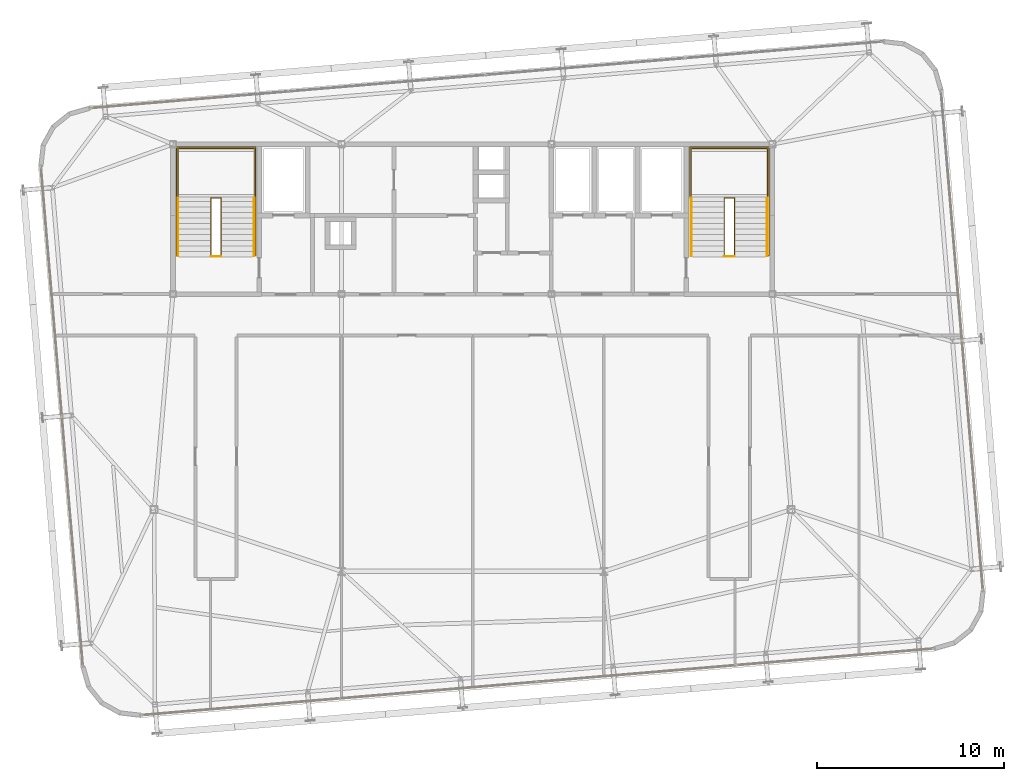
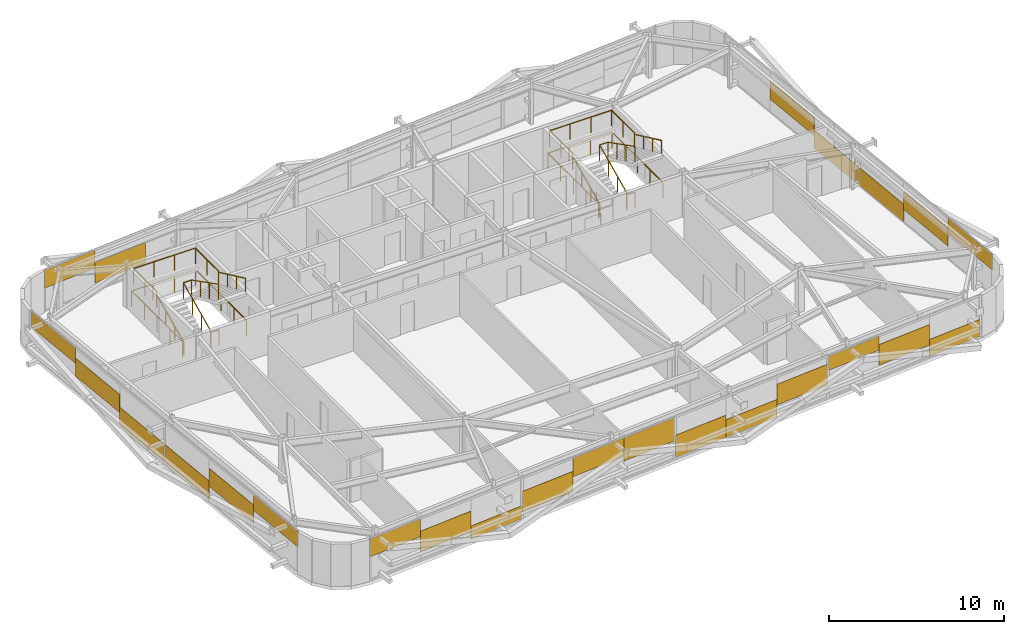
# One storey, part 36 of 37: 25 coverings, 12 railings.
"""IFC4 building model written with IfcOpenShell, lengths in metres."""

from ifc_helpers import new_model, si_unit, direction, frame, origin, origin_2d, place, context, subcontext, project, spatial, rectangle, extrude, source, transform, mapped, material, layer, layer_set, type_object, element, save


model = new_model("IFC4")

# Units and contexts
model_context = context("Model", 3, precision=1e-05, world=origin(), true_north=direction((0.0, 1.0)))
body_context = subcontext(model_context, "Body", "Model", "MODEL_VIEW")
ifc_project = project(units=[si_unit("LENGTHUNIT", "METRE"), si_unit("AREAUNIT", "SQUARE_METRE"), si_unit("VOLUMEUNIT", "CUBIC_METRE"), si_unit("PLANEANGLEUNIT", "RADIAN"), si_unit("MASSUNIT", "GRAM", prefix="KILO")], contexts=[model_context])

# Site, building, storey
site_placement = place(None, origin())
site = spatial("IfcSite", under=ifc_project, at=site_placement, CompositionType="ELEMENT")
building_placement = place(site_placement, origin())
building = spatial("IfcBuilding", under=site, at=building_placement, Name="Taldren Reach Tower", CompositionType="ELEMENT")
storey_placement = place(building_placement, frame((0.0, 0.0, 182.0)))
storey = spatial("IfcBuildingStorey", under=building, at=storey_placement, Name="L55", CompositionType="ELEMENT", Elevation=182.0)

# Railings
ifc_material_1 = material(Name="Steel Gr 350 (C350L0)", Category="steel")
ifc_layer_1 = layer(ifc_material_1, 0.050048828125)
ifc_layer_set_1 = layer_set([ifc_layer_1], Name="Steel Gr 350 (C350L0)")
railing_type_1 = type_object("IfcRailingType", Name="RL-STAIR-GR", PredefinedType="GUARDRAIL", material=ifc_layer_set_1)
railing_1_placement = place(storey_placement, frame((19.260009765625, 29.135009765625, 1.574951171875)))
element("IfcRailing", 1, at=railing_1_placement, inside=storey, type_object=railing_type_1, Name="Stair half-landing perimeter guard ST1-L55", PredefinedType="GUARDRAIL", context=body_context, shape_type="SweptSolid", body=[
    extrude(rectangle(XDim=0.047852, YDim=0.047852, at=origin_2d()), frame((0.0, 0.0, 1.09619140625), z_axis=(0.0, 1.0, 0.0), x_axis=(-1.0, 0.0, 0.0)), (0.0, 0.0, 1.0), 2.64501953125),
    extrude(rectangle(XDim=0.047852, YDim=0.047852, at=origin_2d()), frame((0.0, 2.64501953125, 1.09619140625), z_axis=(1.0, 0.0, 0.0), x_axis=(0.0, 1.0, 0.0)), (0.0, 0.0, 1.0), 4.080078125),
    extrude(rectangle(XDim=0.047852, YDim=0.047852, at=origin_2d()), frame((4.080078125, 2.64501953125, 1.09619140625), z_axis=(0.0, -1.0, 0.0), x_axis=(1.0, 0.0, 0.0)), (0.0, 0.0, 1.0), 2.64501953125),
    extrude(rectangle(XDim=0.041992, YDim=0.041992, at=origin_2d()), origin(), (0.0, 0.0, 1.0), 1.072021484375),
    extrude(rectangle(XDim=0.041992, YDim=0.041992, at=origin_2d()), frame((0.0, 1.322509765625, 0.0)), (0.0, 0.0, 1.0), 1.072021484375),
    extrude(rectangle(XDim=0.041992, YDim=0.041992, at=origin_2d()), frame((0.0, 2.64501953125, 0.0)), (0.0, 0.0, 1.0), 1.072021484375),
    extrude(rectangle(XDim=0.041992, YDim=0.041992, at=origin_2d()), frame((1.360107421875, 2.64501953125, 0.0)), (0.0, 0.0, 1.0), 1.072021484375),
    extrude(rectangle(XDim=0.041992, YDim=0.041992, at=origin_2d()), frame((2.719970703125, 2.64501953125, 0.0)), (0.0, 0.0, 1.0), 1.072021484375),
    extrude(rectangle(XDim=0.041992, YDim=0.041992, at=origin_2d()), frame((4.080078125, 2.64501953125, 0.0)), (0.0, 0.0, 1.0), 1.072021484375),
    extrude(rectangle(XDim=0.041992, YDim=0.041992, at=origin_2d()), frame((4.080078125, 1.322509765625, 0.0)), (0.0, 0.0, 1.0), 1.072021484375),
    extrude(rectangle(XDim=0.041992, YDim=0.041992, at=origin_2d()), frame((4.080078125, 0.0, 0.0)), (0.0, 0.0, 1.0), 1.072021484375),
])
railing_2_placement = place(storey_placement, frame((21.030029296875, 26.050048828125, 0.131103515625)))
element("IfcRailing", 2, at=railing_2_placement, inside=storey, type_object=railing_type_1, Name="Stairwell inner guard ST1-L55", PredefinedType="GUARDRAIL", context=body_context, shape_type="SweptSolid", body=[
    extrude(rectangle(XDim=0.047852, YDim=0.047852, at=origin_2d()), frame((0.0, 0.0, 1.09619140625), z_axis=(0.0, 0.905710134349, 0.423897573167), x_axis=(-1.0, 0.0, 0.0)), (0.0, 0.0, 1.0), 3.406005859375),
    extrude(rectangle(XDim=0.047852, YDim=0.047852, at=origin_2d()), frame((0.0, 3.0849609375, 2.5400390625), z_axis=(1.0, 0.0, 0.0), x_axis=(0.0, 1.0, 0.0)), (0.0, 0.0, 1.0), 0.5400390625),
    extrude(rectangle(XDim=0.047852, YDim=0.047852, at=origin_2d()), frame((0.5400390625, 3.0849609375, 2.5400390625), z_axis=(0.0, -0.890645957773, 0.45469745755), x_axis=(1.0, 0.0, 0.0)), (0.0, 0.0, 1.0), 3.463623046875),
    extrude(rectangle(XDim=0.041992, YDim=0.041992, at=origin_2d()), origin(), (0.0, 0.0, 1.0), 1.072021484375),
    extrude(rectangle(XDim=0.041992, YDim=0.041992, at=origin_2d()), frame((0.0, 1.0283203125, 0.481201171875)), (0.0, 0.0, 1.0), 1.072021484375),
    extrude(rectangle(XDim=0.041992, YDim=0.041992, at=origin_2d()), frame((0.0, 2.056640625, 0.962646484375)), (0.0, 0.0, 1.0), 1.072021484375),
    extrude(rectangle(XDim=0.041992, YDim=0.041992, at=origin_2d()), frame((0.0, 3.0849609375, 1.44384765625)), (0.0, 0.0, 1.0), 1.072021484375),
    extrude(rectangle(XDim=0.041992, YDim=0.041992, at=origin_2d()), frame((0.5400390625, 3.0849609375, 1.44384765625)), (0.0, 0.0, 1.0), 1.072021484375),
    extrude(rectangle(XDim=0.041992, YDim=0.041992, at=origin_2d()), frame((0.5400390625, 2.056640625, 1.96875)), (0.0, 0.0, 1.0), 1.072021484375),
    extrude(rectangle(XDim=0.041992, YDim=0.041992, at=origin_2d()), frame((0.5400390625, 1.0283203125, 2.493896484375)), (0.0, 0.0, 1.0), 1.072021484375),
    extrude(rectangle(XDim=0.041992, YDim=0.041992, at=origin_2d()), frame((0.5400390625, 0.0, 3.018798828125)), (0.0, 0.0, 1.0), 1.072021484375),
])
railing_3_placement = place(storey_placement, frame((21.030029296875, 26.010009765625, 0.0)))
element("IfcRailing", 3, at=railing_3_placement, inside=storey, type_object=railing_type_1, Name="Stairwell landing slot guard ST1-L55", PredefinedType="GUARDRAIL", context=body_context, shape_type="SweptSolid", body=[
    extrude(rectangle(XDim=0.047852, YDim=0.047852, at=origin_2d()), frame((0.0, 0.0, 1.09619140625), z_axis=(1.0, 0.0, 0.0), x_axis=(0.0, 1.0, 0.0)), (0.0, 0.0, 1.0), 0.5400390625),
    extrude(rectangle(XDim=0.041992, YDim=0.041992, at=origin_2d()), origin(), (0.0, 0.0, 1.0), 1.072021484375),
    extrude(rectangle(XDim=0.041992, YDim=0.041992, at=origin_2d()), frame((0.5400390625, 0.0, 0.0)), (0.0, 0.0, 1.0), 1.072021484375),
])
railing_4_placement = place(storey_placement, frame((19.18994140625, 26.050048828125, 0.0)))
element("IfcRailing", 4, at=railing_4_placement, inside=storey, type_object=railing_type_1, Name="Stairwell floor opening guard ST1-L55", PredefinedType="GUARDRAIL", context=body_context, shape_type="SweptSolid", body=[
    extrude(rectangle(XDim=0.047852, YDim=0.047852, at=origin_2d()), frame((0.0, 0.0, 1.09619140625), z_axis=(0.0, 1.0, 0.0), x_axis=(-1.0, 0.0, 0.0)), (0.0, 0.0, 1.0), 5.800048828125),
    extrude(rectangle(XDim=0.047852, YDim=0.047852, at=origin_2d()), frame((0.0, 5.800048828125, 1.09619140625), z_axis=(1.0, 0.0, 0.0), x_axis=(0.0, 1.0, 0.0)), (0.0, 0.0, 1.0), 4.219970703125),
    extrude(rectangle(XDim=0.047852, YDim=0.047852, at=origin_2d()), frame((4.219970703125, 5.800048828125, 1.09619140625), z_axis=(0.0, -1.0, 0.0), x_axis=(1.0, 0.0, 0.0)), (0.0, 0.0, 1.0), 5.800048828125),
    extrude(rectangle(XDim=0.041992, YDim=0.041992, at=origin_2d()), origin(), (0.0, 0.0, 1.0), 1.072021484375),
    extrude(rectangle(XDim=0.041992, YDim=0.041992, at=origin_2d()), frame((0.0, 1.449951171875, 0.0)), (0.0, 0.0, 1.0), 1.072021484375),
    extrude(rectangle(XDim=0.041992, YDim=0.041992, at=origin_2d()), frame((0.0, 2.89990234375, 0.0)), (0.0, 0.0, 1.0), 1.072021484375),
    extrude(rectangle(XDim=0.041992, YDim=0.041992, at=origin_2d()), frame((0.0, 4.35009765625, 0.0)), (0.0, 0.0, 1.0), 1.072021484375),
    extrude(rectangle(XDim=0.041992, YDim=0.041992, at=origin_2d()), frame((0.0, 5.800048828125, 0.0)), (0.0, 0.0, 1.0), 1.072021484375),
    extrude(rectangle(XDim=0.041992, YDim=0.041992, at=origin_2d()), frame((1.40673828125, 5.800048828125, 0.0)), (0.0, 0.0, 1.0), 1.072021484375),
    extrude(rectangle(XDim=0.041992, YDim=0.041992, at=origin_2d()), frame((2.813232421875, 5.800048828125, 0.0)), (0.0, 0.0, 1.0), 1.072021484375),
    extrude(rectangle(XDim=0.041992, YDim=0.041992, at=origin_2d()), frame((4.219970703125, 5.800048828125, 0.0)), (0.0, 0.0, 1.0), 1.072021484375),
    extrude(rectangle(XDim=0.041992, YDim=0.041992, at=origin_2d()), frame((4.219970703125, 4.35009765625, 0.0)), (0.0, 0.0, 1.0), 1.072021484375),
    extrude(rectangle(XDim=0.041992, YDim=0.041992, at=origin_2d()), frame((4.219970703125, 2.89990234375, 0.0)), (0.0, 0.0, 1.0), 1.072021484375),
    extrude(rectangle(XDim=0.041992, YDim=0.041992, at=origin_2d()), frame((4.219970703125, 1.449951171875, 0.0)), (0.0, 0.0, 1.0), 1.072021484375),
    extrude(rectangle(XDim=0.041992, YDim=0.041992, at=origin_2d()), frame((4.219970703125, 0.0, 0.0)), (0.0, 0.0, 1.0), 1.072021484375),
])
railing_5_placement = place(storey_placement, frame((46.659912109375, 29.135009765625, 1.574951171875)))
element("IfcRailing", 5, at=railing_5_placement, inside=storey, type_object=railing_type_1, Name="Stair half-landing perimeter guard ST2-L55", PredefinedType="GUARDRAIL", context=body_context, shape_type="SweptSolid", body=[
    extrude(rectangle(XDim=0.047852, YDim=0.047852, at=origin_2d()), frame((0.0, 0.0, 1.09619140625), z_axis=(0.0, 1.0, 0.0), x_axis=(-1.0, 0.0, 0.0)), (0.0, 0.0, 1.0), 2.64501953125),
    extrude(rectangle(XDim=0.047852, YDim=0.047852, at=origin_2d()), frame((0.0, 2.64501953125, 1.09619140625), z_axis=(1.0, 0.0, 0.0), x_axis=(0.0, 1.0, 0.0)), (0.0, 0.0, 1.0), 4.080078125),
    extrude(rectangle(XDim=0.047852, YDim=0.047852, at=origin_2d()), frame((4.080078125, 2.64501953125, 1.09619140625), z_axis=(0.0, -1.0, 0.0), x_axis=(1.0, 0.0, 0.0)), (0.0, 0.0, 1.0), 2.64501953125),
    extrude(rectangle(XDim=0.041992, YDim=0.041992, at=origin_2d()), origin(), (0.0, 0.0, 1.0), 1.072021484375),
    extrude(rectangle(XDim=0.041992, YDim=0.041992, at=origin_2d()), frame((0.0, 1.322509765625, 0.0)), (0.0, 0.0, 1.0), 1.072021484375),
    extrude(rectangle(XDim=0.041992, YDim=0.041992, at=origin_2d()), frame((0.0, 2.64501953125, 0.0)), (0.0, 0.0, 1.0), 1.072021484375),
    extrude(rectangle(XDim=0.041992, YDim=0.041992, at=origin_2d()), frame((1.360107421875, 2.64501953125, 0.0)), (0.0, 0.0, 1.0), 1.072021484375),
    extrude(rectangle(XDim=0.041992, YDim=0.041992, at=origin_2d()), frame((2.719970703125, 2.64501953125, 0.0)), (0.0, 0.0, 1.0), 1.072021484375),
    extrude(rectangle(XDim=0.041992, YDim=0.041992, at=origin_2d()), frame((4.080078125, 2.64501953125, 0.0)), (0.0, 0.0, 1.0), 1.072021484375),
    extrude(rectangle(XDim=0.041992, YDim=0.041992, at=origin_2d()), frame((4.080078125, 1.322509765625, 0.0)), (0.0, 0.0, 1.0), 1.072021484375),
    extrude(rectangle(XDim=0.041992, YDim=0.041992, at=origin_2d()), frame((4.080078125, 0.0, 0.0)), (0.0, 0.0, 1.0), 1.072021484375),
])
railing_6_placement = place(storey_placement, frame((48.429931640625, 26.050048828125, 0.131103515625)))
element("IfcRailing", 6, at=railing_6_placement, inside=storey, type_object=railing_type_1, Name="Stairwell inner guard ST2-L55", PredefinedType="GUARDRAIL", context=body_context, shape_type="SweptSolid", body=[
    extrude(rectangle(XDim=0.047852, YDim=0.047852, at=origin_2d()), frame((0.0, 0.0, 1.09619140625), z_axis=(0.0, 0.905710134349, 0.423897573167), x_axis=(-1.0, 0.0, 0.0)), (0.0, 0.0, 1.0), 3.406005859375),
    extrude(rectangle(XDim=0.047852, YDim=0.047852, at=origin_2d()), frame((0.0, 3.0849609375, 2.5400390625), z_axis=(1.0, 0.0, 0.0), x_axis=(0.0, 1.0, 0.0)), (0.0, 0.0, 1.0), 0.5400390625),
    extrude(rectangle(XDim=0.047852, YDim=0.047852, at=origin_2d()), frame((0.5400390625, 3.0849609375, 2.5400390625), z_axis=(0.0, -0.890645957773, 0.45469745755), x_axis=(1.0, 0.0, 0.0)), (0.0, 0.0, 1.0), 3.463623046875),
    extrude(rectangle(XDim=0.041992, YDim=0.041992, at=origin_2d()), origin(), (0.0, 0.0, 1.0), 1.072021484375),
    extrude(rectangle(XDim=0.041992, YDim=0.041992, at=origin_2d()), frame((0.0, 1.0283203125, 0.481201171875)), (0.0, 0.0, 1.0), 1.072021484375),
    extrude(rectangle(XDim=0.041992, YDim=0.041992, at=origin_2d()), frame((0.0, 2.056640625, 0.962646484375)), (0.0, 0.0, 1.0), 1.072021484375),
    extrude(rectangle(XDim=0.041992, YDim=0.041992, at=origin_2d()), frame((0.0, 3.0849609375, 1.44384765625)), (0.0, 0.0, 1.0), 1.072021484375),
    extrude(rectangle(XDim=0.041992, YDim=0.041992, at=origin_2d()), frame((0.5400390625, 3.0849609375, 1.44384765625)), (0.0, 0.0, 1.0), 1.072021484375),
    extrude(rectangle(XDim=0.041992, YDim=0.041992, at=origin_2d()), frame((0.5400390625, 2.056640625, 1.96875)), (0.0, 0.0, 1.0), 1.072021484375),
    extrude(rectangle(XDim=0.041992, YDim=0.041992, at=origin_2d()), frame((0.5400390625, 1.0283203125, 2.493896484375)), (0.0, 0.0, 1.0), 1.072021484375),
    extrude(rectangle(XDim=0.041992, YDim=0.041992, at=origin_2d()), frame((0.5400390625, 0.0, 3.018798828125)), (0.0, 0.0, 1.0), 1.072021484375),
])
railing_7_placement = place(storey_placement, frame((48.429931640625, 26.010009765625, 0.0)))
element("IfcRailing", 7, at=railing_7_placement, inside=storey, type_object=railing_type_1, Name="Stairwell landing slot guard ST2-L55", PredefinedType="GUARDRAIL", context=body_context, shape_type="SweptSolid", body=[
    extrude(rectangle(XDim=0.047852, YDim=0.047852, at=origin_2d()), frame((0.0, 0.0, 1.09619140625), z_axis=(1.0, 0.0, 0.0), x_axis=(0.0, 1.0, 0.0)), (0.0, 0.0, 1.0), 0.5400390625),
    extrude(rectangle(XDim=0.041992, YDim=0.041992, at=origin_2d()), origin(), (0.0, 0.0, 1.0), 1.072021484375),
    extrude(rectangle(XDim=0.041992, YDim=0.041992, at=origin_2d()), frame((0.5400390625, 0.0, 0.0)), (0.0, 0.0, 1.0), 1.072021484375),
])
railing_8_placement = place(storey_placement, frame((46.590087890625, 26.050048828125, 0.0)))
element("IfcRailing", 8, at=railing_8_placement, inside=storey, type_object=railing_type_1, Name="Stairwell floor opening guard ST2-L55", PredefinedType="GUARDRAIL", context=body_context, shape_type="SweptSolid", body=[
    extrude(rectangle(XDim=0.047852, YDim=0.047852, at=origin_2d()), frame((0.0, 0.0, 1.09619140625), z_axis=(0.0, 1.0, 0.0), x_axis=(-1.0, 0.0, 0.0)), (0.0, 0.0, 1.0), 5.800048828125),
    extrude(rectangle(XDim=0.047852, YDim=0.047852, at=origin_2d()), frame((0.0, 5.800048828125, 1.09619140625), z_axis=(1.0, 0.0, 0.0), x_axis=(0.0, 1.0, 0.0)), (0.0, 0.0, 1.0), 4.219970703125),
    extrude(rectangle(XDim=0.047852, YDim=0.047852, at=origin_2d()), frame((4.219970703125, 5.800048828125, 1.09619140625), z_axis=(0.0, -1.0, 0.0), x_axis=(1.0, 0.0, 0.0)), (0.0, 0.0, 1.0), 5.800048828125),
    extrude(rectangle(XDim=0.041992, YDim=0.041992, at=origin_2d()), origin(), (0.0, 0.0, 1.0), 1.072021484375),
    extrude(rectangle(XDim=0.041992, YDim=0.041992, at=origin_2d()), frame((0.0, 1.449951171875, 0.0)), (0.0, 0.0, 1.0), 1.072021484375),
    extrude(rectangle(XDim=0.041992, YDim=0.041992, at=origin_2d()), frame((0.0, 2.89990234375, 0.0)), (0.0, 0.0, 1.0), 1.072021484375),
    extrude(rectangle(XDim=0.041992, YDim=0.041992, at=origin_2d()), frame((0.0, 4.35009765625, 0.0)), (0.0, 0.0, 1.0), 1.072021484375),
    extrude(rectangle(XDim=0.041992, YDim=0.041992, at=origin_2d()), frame((0.0, 5.800048828125, 0.0)), (0.0, 0.0, 1.0), 1.072021484375),
    extrude(rectangle(XDim=0.041992, YDim=0.041992, at=origin_2d()), frame((1.40673828125, 5.800048828125, 0.0)), (0.0, 0.0, 1.0), 1.072021484375),
    extrude(rectangle(XDim=0.041992, YDim=0.041992, at=origin_2d()), frame((2.813232421875, 5.800048828125, 0.0)), (0.0, 0.0, 1.0), 1.072021484375),
    extrude(rectangle(XDim=0.041992, YDim=0.041992, at=origin_2d()), frame((4.219970703125, 5.800048828125, 0.0)), (0.0, 0.0, 1.0), 1.072021484375),
    extrude(rectangle(XDim=0.041992, YDim=0.041992, at=origin_2d()), frame((4.219970703125, 4.35009765625, 0.0)), (0.0, 0.0, 1.0), 1.072021484375),
    extrude(rectangle(XDim=0.041992, YDim=0.041992, at=origin_2d()), frame((4.219970703125, 2.89990234375, 0.0)), (0.0, 0.0, 1.0), 1.072021484375),
    extrude(rectangle(XDim=0.041992, YDim=0.041992, at=origin_2d()), frame((4.219970703125, 1.449951171875, 0.0)), (0.0, 0.0, 1.0), 1.072021484375),
    extrude(rectangle(XDim=0.041992, YDim=0.041992, at=origin_2d()), frame((4.219970703125, 0.0, 0.0)), (0.0, 0.0, 1.0), 1.072021484375),
])
ifc_material_2 = material(Name="Stainless Steel Gr 316", Category="steel")
ifc_layer_2 = layer(ifc_material_2, 0.048095703125)
ifc_layer_set_2 = layer_set([ifc_layer_2], Name="Stainless Steel Gr 316")
railing_type_2 = type_object("IfcRailingType", Name="RL-STAIR-HR", PredefinedType="HANDRAIL", material=ifc_layer_set_2)
railing_9_placement = place(storey_placement, frame((19.27001953125, 26.050048828125, 0.131103515625)))
element("IfcRailing", 9, at=railing_9_placement, inside=storey, type_object=railing_type_2, Name="Stair flight handrail ST1-L55-1", PredefinedType="HANDRAIL", context=body_context, shape_type="SweptSolid", body=[
    extrude(rectangle(XDim=0.047852, YDim=0.047852, at=origin_2d()), frame((0.0, 0.0, 0.89599609375), z_axis=(0.0, 0.905710134349, 0.423897573167), x_axis=(-1.0, 0.0, 0.0)), (0.0, 0.0, 1.0), 3.406005859375),
    extrude(rectangle(XDim=0.041992, YDim=0.041992, at=origin_2d()), origin(), (0.0, 0.0, 1.0), 0.871826171875),
    extrude(rectangle(XDim=0.041992, YDim=0.041992, at=origin_2d()), frame((0.0, 1.0283203125, 0.481201171875)), (0.0, 0.0, 1.0), 0.871826171875),
    extrude(rectangle(XDim=0.041992, YDim=0.041992, at=origin_2d()), frame((0.0, 2.056640625, 0.962646484375)), (0.0, 0.0, 1.0), 0.871826171875),
    extrude(rectangle(XDim=0.041992, YDim=0.041992, at=origin_2d()), frame((0.0, 3.0849609375, 1.44384765625)), (0.0, 0.0, 1.0), 0.871826171875),
])
railing_10_placement = place(storey_placement, frame((23.330078125, 29.135009765625, 1.706298828125)))
element("IfcRailing", 10, at=railing_10_placement, inside=storey, type_object=railing_type_2, Name="Stair flight handrail ST1-L55-2", PredefinedType="HANDRAIL", context=body_context, shape_type="SweptSolid", body=[
    extrude(rectangle(XDim=0.047852, YDim=0.047852, at=origin_2d()), frame((0.0, 0.0, 0.89599609375), z_axis=(0.0, -0.905737652094, 0.423838773095), x_axis=(1.0, 0.0, 0.0)), (0.0, 0.0, 1.0), 3.406005859375),
    extrude(rectangle(XDim=0.041992, YDim=0.041992, at=origin_2d()), origin(), (0.0, 0.0, 1.0), 0.871826171875),
    extrude(rectangle(XDim=0.041992, YDim=0.041992, at=origin_2d()), frame((0.0, -1.0283203125, 0.481201171875)), (0.0, 0.0, 1.0), 0.871826171875),
    extrude(rectangle(XDim=0.041992, YDim=0.041992, at=origin_2d()), frame((0.0, -2.056640625, 0.96240234375)), (0.0, 0.0, 1.0), 0.871826171875),
    extrude(rectangle(XDim=0.041992, YDim=0.041992, at=origin_2d()), frame((0.0, -3.0849609375, 1.443603515625)), (0.0, 0.0, 1.0), 0.871826171875),
])
railing_11_placement = place(storey_placement, frame((46.669921875, 26.050048828125, 0.131103515625)))
element("IfcRailing", 11, at=railing_11_placement, inside=storey, type_object=railing_type_2, Name="Stair flight handrail ST2-L55-1", PredefinedType="HANDRAIL", context=body_context, shape_type="SweptSolid", body=[
    extrude(rectangle(XDim=0.047852, YDim=0.047852, at=origin_2d()), frame((0.0, 0.0, 0.89599609375), z_axis=(0.0, 0.905710134349, 0.423897573167), x_axis=(-1.0, 0.0, 0.0)), (0.0, 0.0, 1.0), 3.406005859375),
    extrude(rectangle(XDim=0.041992, YDim=0.041992, at=origin_2d()), origin(), (0.0, 0.0, 1.0), 0.871826171875),
    extrude(rectangle(XDim=0.041992, YDim=0.041992, at=origin_2d()), frame((0.0, 1.0283203125, 0.481201171875)), (0.0, 0.0, 1.0), 0.871826171875),
    extrude(rectangle(XDim=0.041992, YDim=0.041992, at=origin_2d()), frame((0.0, 2.056640625, 0.962646484375)), (0.0, 0.0, 1.0), 0.871826171875),
    extrude(rectangle(XDim=0.041992, YDim=0.041992, at=origin_2d()), frame((0.0, 3.0849609375, 1.44384765625)), (0.0, 0.0, 1.0), 0.871826171875),
])
railing_12_placement = place(storey_placement, frame((50.72998046875, 29.135009765625, 1.706298828125)))
element("IfcRailing", 12, at=railing_12_placement, inside=storey, type_object=railing_type_2, Name="Stair flight handrail ST2-L55-2", PredefinedType="HANDRAIL", context=body_context, shape_type="SweptSolid", body=[
    extrude(rectangle(XDim=0.047852, YDim=0.047852, at=origin_2d()), frame((0.0, 0.0, 0.89599609375), z_axis=(0.0, -0.905737652094, 0.423838773095), x_axis=(1.0, 0.0, 0.0)), (0.0, 0.0, 1.0), 3.406005859375),
    extrude(rectangle(XDim=0.041992, YDim=0.041992, at=origin_2d()), origin(), (0.0, 0.0, 1.0), 0.871826171875),
    extrude(rectangle(XDim=0.041992, YDim=0.041992, at=origin_2d()), frame((0.0, -1.0283203125, 0.481201171875)), (0.0, 0.0, 1.0), 0.871826171875),
    extrude(rectangle(XDim=0.041992, YDim=0.041992, at=origin_2d()), frame((0.0, -2.056640625, 0.96240234375)), (0.0, 0.0, 1.0), 0.871826171875),
    extrude(rectangle(XDim=0.041992, YDim=0.041992, at=origin_2d()), frame((0.0, -3.0849609375, 1.443603515625)), (0.0, 0.0, 1.0), 0.871826171875),
])

# Coverings
ifc_material_3 = material(Name="Pale Champagne Fluoropolymer Aluminium Spandrel Cladding", Category="aluminium")
ifc_layer_3 = layer(ifc_material_3, 0.0439453125)
ifc_layer_set_3 = layer_set([ifc_layer_3], Name="Pale Champagne Fluoropolymer Aluminium Spandrel Cladding")
covering_type = type_object("IfcCoveringType", Name="CV-CLAD-044", PredefinedType="CLADDING", material=ifc_layer_set_3)
shared_shape_1 = source(origin(), body_context, "Body", "SweptSolid", [
    extrude(rectangle(XDim=3.506591796875, YDim=0.0439453125, at=origin_2d()), origin(), (0.0, 0.0, 1.0), 1.177734375),
])
covering_1_placement = place(storey_placement, frame((57.819091796875, 4.922607421875, 0.06005859375), z_axis=(0.0, 0.0, 1.0), x_axis=(0.996492854922, 0.083677894865, 0.0)))
element("IfcCovering", 13, at=covering_1_placement, inside=storey, type_object=covering_type, Name="Diagrid closure cladding strip CW-5 panel 4.1 3", PredefinedType="CLADDING", context=body_context, shape_type="MappedRepresentation", body=[
    mapped(shared_shape_1, transform((0.0, 0.0, 0.0), scale=1.0)),
])
shared_shape_2 = source(origin(), body_context, "Body", "SweptSolid", [
    extrude(rectangle(XDim=3.506591796875, YDim=0.0439453125, at=origin_2d()), origin(), (0.0, 0.0, 1.0), 1.42724609375),
])
for number, where, z_axis, x_axis, name in (
    (14, (22.596435546875, 1.96484375, 0.590576171875), (0.0, 0.0, 1.0), (0.996492854922, 0.083677894865, 0.0), "Diagrid closure cladding strip CW-5 panel 1.1 2"),
    (15, (54.32470703125, 4.629150390625, 0.85205078125), (0.0, 0.0, 1.0), (0.996492854922, 0.083677894865, 0.0), "Diagrid closure cladding strip CW-5 panel 4.1 2"),
    (16, (19.875244140625, 34.370849609375, 0.590576171875), (0.0, 0.0, 1.0), (-0.99649285657, -0.083677875247, 0.0), "Diagrid closure cladding strip CW-5 panel 4.1 2"),
):
    element("IfcCovering", number, at=place(storey_placement, frame(where, z_axis=z_axis, x_axis=x_axis)), inside=storey, type_object=covering_type, Name=name, PredefinedType="CLADDING", context=body_context, shape_type="MappedRepresentation", body=[
        mapped(shared_shape_2, transform((0.0, 0.0, 0.0), scale=1.0)),
    ])
shared_shape_3 = source(origin(), body_context, "Body", "SweptSolid", [
    extrude(rectangle(XDim=3.506591796875, YDim=0.0439453125, at=origin_2d()), origin(), (0.0, 0.0, 1.0), 0.976318359375),
])
covering_2_placement = place(storey_placement, frame((50.830322265625, 4.335693359375, 1.8935546875), z_axis=(0.0, 0.0, 1.0), x_axis=(0.996492854922, 0.083677894865, 0.0)))
element("IfcCovering", 17, at=covering_2_placement, inside=storey, type_object=covering_type, Name="Diagrid closure cladding strip CW-5 panel 4.1 1", PredefinedType="CLADDING", context=body_context, shape_type="MappedRepresentation", body=[
    mapped(shared_shape_3, transform((0.0, 0.0, 0.0), scale=1.0)),
])
shared_shape_4 = source(origin(), body_context, "Body", "SweptSolid", [
    extrude(rectangle(XDim=3.518310546875, YDim=0.0439453125, at=origin_2d()), origin(), (0.0, 0.0, 1.0), 1.4306640625),
])
for number, where, z_axis, x_axis, name in (
    (18, (29.66064453125, 2.55810546875, 0.5263671875), (0.0, 0.0, 1.0), (0.996492854922, 0.083677894865, 0.0), "Diagrid closure cladding strip CW-5 panel 2.1 1"),
    (19, (47.260498046875, 4.035888671875, 0.9130859375), (0.0, 0.0, 1.0), (0.996492854922, 0.083677894865, 0.0), "Diagrid closure cladding strip CW-5 panel 3.1 3"),
):
    element("IfcCovering", number, at=place(storey_placement, frame(where, z_axis=z_axis, x_axis=x_axis)), inside=storey, type_object=covering_type, Name=name, PredefinedType="CLADDING", context=body_context, shape_type="MappedRepresentation", body=[
        mapped(shared_shape_4, transform((0.0, 0.0, 0.0), scale=1.0)),
    ])
shared_shape_5 = source(origin(), body_context, "Body", "SweptSolid", [
    extrude(rectangle(XDim=3.518310546875, YDim=0.0439453125, at=origin_2d()), origin(), (0.0, 0.0, 1.0), 1.238525390625),
])
covering_3_placement = place(storey_placement, frame((43.75439453125, 3.741455078125, 0.06005859375), z_axis=(0.0, 0.0, 1.0), x_axis=(0.996492854922, 0.083677894865, 0.0)))
element("IfcCovering", 20, at=covering_3_placement, inside=storey, type_object=covering_type, Name="Diagrid closure cladding strip CW-5 panel 3.1 2", PredefinedType="CLADDING", context=body_context, shape_type="MappedRepresentation", body=[
    mapped(shared_shape_5, transform((0.0, 0.0, 0.0), scale=1.0)),
])
shared_shape_6 = source(origin(), body_context, "Body", "SweptSolid", [
    extrude(rectangle(XDim=3.518310546875, YDim=0.0439453125, at=origin_2d()), origin(), (0.0, 0.0, 1.0), 1.557373046875),
])
covering_4_placement = place(storey_placement, frame((40.24853515625, 3.447265625, 0.06005859375), z_axis=(0.0, 0.0, 1.0), x_axis=(0.996492854922, 0.083677894865, 0.0)))
element("IfcCovering", 21, at=covering_4_placement, inside=storey, type_object=covering_type, Name="Diagrid closure cladding strip CW-5 panel 3.1 1", PredefinedType="CLADDING", context=body_context, shape_type="MappedRepresentation", body=[
    mapped(shared_shape_6, transform((0.0, 0.0, 0.0), scale=1.0)),
])
shared_shape_7 = source(origin(), body_context, "Body", "SweptSolid", [
    extrude(rectangle(XDim=3.518310546875, YDim=0.0439453125, at=origin_2d()), origin(), (0.0, 0.0, 1.0), 1.617431640625),
])
covering_5_placement = place(storey_placement, frame((36.672607421875, 3.14697265625, 1.25244140625), z_axis=(0.0, 0.0, 1.0), x_axis=(0.996492854922, 0.083677894865, 0.0)))
element("IfcCovering", 22, at=covering_5_placement, inside=storey, type_object=covering_type, Name="Diagrid closure cladding strip CW-5 panel 2.1 3", PredefinedType="CLADDING", context=body_context, shape_type="MappedRepresentation", body=[
    mapped(shared_shape_7, transform((0.0, 0.0, 0.0), scale=1.0)),
])
shared_shape_8 = source(origin(), body_context, "Body", "SweptSolid", [
    extrude(rectangle(XDim=3.518310546875, YDim=0.0439453125, at=origin_2d()), origin(), (0.0, 0.0, 1.0), 1.298583984375),
])
covering_6_placement = place(storey_placement, frame((33.166748046875, 2.8525390625, 1.5712890625), z_axis=(0.0, 0.0, 1.0), x_axis=(0.996492854922, 0.083677894865, 0.0)))
element("IfcCovering", 23, at=covering_6_placement, inside=storey, type_object=covering_type, Name="Diagrid closure cladding strip CW-5 panel 2.1 2", PredefinedType="CLADDING", context=body_context, shape_type="MappedRepresentation", body=[
    mapped(shared_shape_8, transform((0.0, 0.0, 0.0), scale=1.0)),
])
shared_shape_9 = source(origin(), body_context, "Body", "SweptSolid", [
    extrude(rectangle(XDim=3.506591796875, YDim=0.0439453125, at=origin_2d()), origin(), (0.0, 0.0, 1.0), 0.916259765625),
])
covering_7_placement = place(storey_placement, frame((26.0908203125, 2.25830078125, 0.06005859375), z_axis=(0.0, 0.0, 1.0), x_axis=(0.996492854922, 0.083677894865, 0.0)))
element("IfcCovering", 24, at=covering_7_placement, inside=storey, type_object=covering_type, Name="Diagrid closure cladding strip CW-5 panel 1.1 3", PredefinedType="CLADDING", context=body_context, shape_type="MappedRepresentation", body=[
    mapped(shared_shape_9, transform((0.0, 0.0, 0.0), scale=1.0)),
])
shared_shape_10 = source(origin(), body_context, "Body", "SweptSolid", [
    extrude(rectangle(XDim=3.506591796875, YDim=0.0439453125, at=origin_2d()), origin(), (0.0, 0.0, 1.0), 1.237548828125),
])
for number, where, z_axis, x_axis, name in (
    (25, (19.10205078125, 1.67138671875, 1.63232421875), (0.0, 0.0, 1.0), (0.996492854922, 0.083677894865, 0.0), "Diagrid closure cladding strip CW-5 panel 1.1 1"),
    (26, (16.380859375, 34.077392578125, 1.63232421875), (0.0, 0.0, 1.0), (-0.99649285657, -0.083677875247, 0.0), "Diagrid closure cladding strip CW-5 panel 4.1 3"),
):
    element("IfcCovering", number, at=place(storey_placement, frame(where, z_axis=z_axis, x_axis=x_axis)), inside=storey, type_object=covering_type, Name=name, PredefinedType="CLADDING", context=body_context, shape_type="MappedRepresentation", body=[
        mapped(shared_shape_10, transform((0.0, 0.0, 0.0), scale=1.0)),
    ])
shared_shape_11 = source(origin(), body_context, "Body", "SweptSolid", [
    extrude(rectangle(XDim=4.431640625, YDim=0.0439453125, at=origin_2d()), origin(), (0.0, 0.0, 1.0), 1.259765625),
])
for number, where, z_axis, x_axis, name in (
    (27, (12.515380859375, 24.1416015625, 0.921142578125), (0.0, 0.0, 1.0), (0.083677979808, -0.996492847789, 0.0), "Diagrid closure cladding strip CW-5 panel 1.1 2"),
    (28, (13.6337890625, 10.823486328125, 0.921142578125), (0.0, 0.0, 1.0), (0.083677979808, -0.996492847789, 0.0), "Diagrid closure cladding strip CW-5 panel 2.1 2"),
    (29, (61.6845703125, 14.8583984375, 0.921142578125), (0.0, 0.0, 1.0), (-0.083677979808, 0.996492847789, 0.0), "Diagrid closure cladding strip CW-5 panel 1.1 2"),
    (30, (60.566162109375, 28.176513671875, 0.921142578125), (0.0, 0.0, 1.0), (-0.083677979808, 0.996492847789, 0.0), "Diagrid closure cladding strip CW-5 panel 2.1 2"),
):
    element("IfcCovering", number, at=place(storey_placement, frame(where, z_axis=z_axis, x_axis=x_axis)), inside=storey, type_object=covering_type, Name=name, PredefinedType="CLADDING", context=body_context, shape_type="MappedRepresentation", body=[
        mapped(shared_shape_11, transform((0.0, 0.0, 0.0), scale=1.0)),
    ])
shared_shape_12 = source(origin(), body_context, "Body", "SweptSolid", [
    extrude(rectangle(XDim=4.431640625, YDim=0.0439453125, at=origin_2d()), origin(), (0.0, 0.0, 1.0), 1.066162109375),
])
for number, where, z_axis, x_axis, name in (
    (31, (12.14453125, 28.5576171875, 1.8037109375), (0.0, 0.0, 1.0), (0.083677979808, -0.996492847789, 0.0), "Diagrid closure cladding strip CW-5 panel 1.1 1"),
    (32, (14.004638671875, 6.4072265625, 1.8037109375), (0.0, 0.0, 1.0), (0.083677979808, -0.996492847789, 0.0), "Diagrid closure cladding strip CW-5 panel 2.1 3"),
    (33, (62.055419921875, 10.4423828125, 1.8037109375), (0.0, 0.0, 1.0), (-0.083677979808, 0.996492847789, 0.0), "Diagrid closure cladding strip CW-5 panel 1.1 1"),
):
    element("IfcCovering", number, at=place(storey_placement, frame(where, z_axis=z_axis, x_axis=x_axis)), inside=storey, type_object=covering_type, Name=name, PredefinedType="CLADDING", context=body_context, shape_type="MappedRepresentation", body=[
        mapped(shared_shape_12, transform((0.0, 0.0, 0.0), scale=1.0)),
    ])
shared_shape_13 = source(origin(), body_context, "Body", "SweptSolid", [
    extrude(rectangle(XDim=4.431640625, YDim=0.0439453125, at=origin_2d()), origin(), (0.0, 0.0, 1.0), 1.23828125),
])
for number, where, z_axis, x_axis, name in (
    (34, (12.88623046875, 19.7255859375, 0.06005859375), (0.0, 0.0, 1.0), (0.083677979808, -0.996492847789, 0.0), "Diagrid closure cladding strip CW-5 panel 1.1 3"),
    (35, (13.262939453125, 15.239501953125, 0.06005859375), (0.0, 0.0, 1.0), (0.083677979808, -0.996492847789, 0.0), "Diagrid closure cladding strip CW-5 panel 2.1 1"),
    (36, (61.313720703125, 19.2744140625, 0.06005859375), (0.0, 0.0, 1.0), (-0.083677979808, 0.996492847789, 0.0), "Diagrid closure cladding strip CW-5 panel 1.1 3"),
    (37, (60.93701171875, 23.760498046875, 0.06005859375), (0.0, 0.0, 1.0), (-0.083677979808, 0.996492847789, 0.0), "Diagrid closure cladding strip CW-5 panel 2.1 1"),
):
    element("IfcCovering", number, at=place(storey_placement, frame(where, z_axis=z_axis, x_axis=x_axis)), inside=storey, type_object=covering_type, Name=name, PredefinedType="CLADDING", context=body_context, shape_type="MappedRepresentation", body=[
        mapped(shared_shape_13, transform((0.0, 0.0, 0.0), scale=1.0)),
    ])

save(model, "model.ifc")
